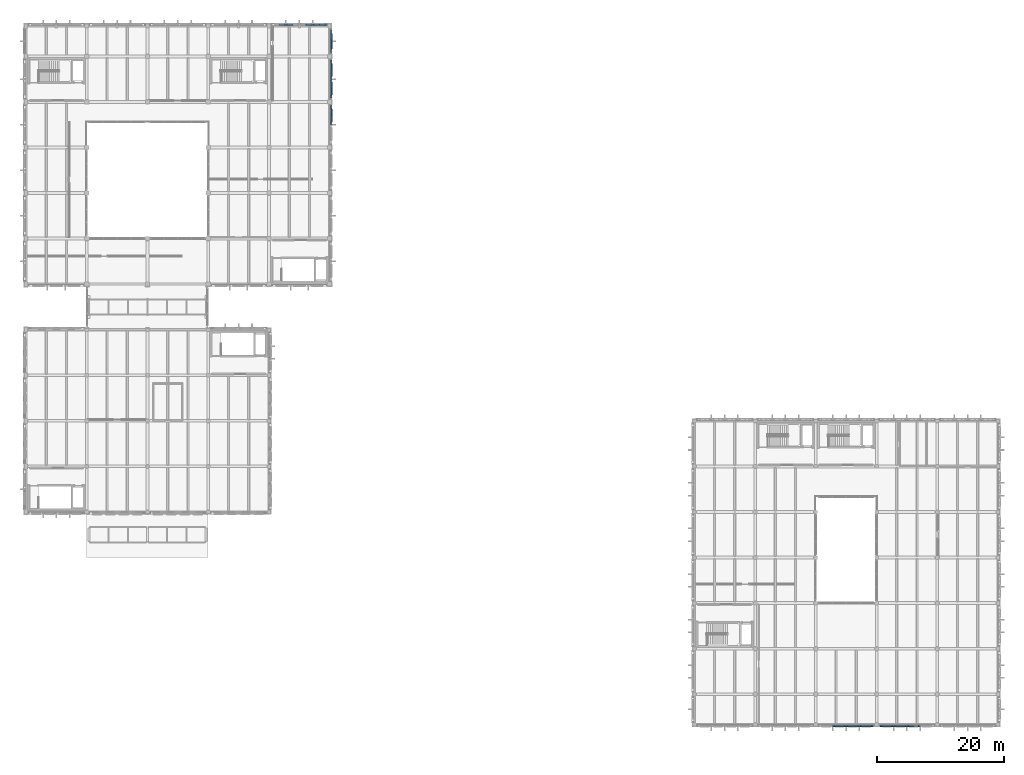
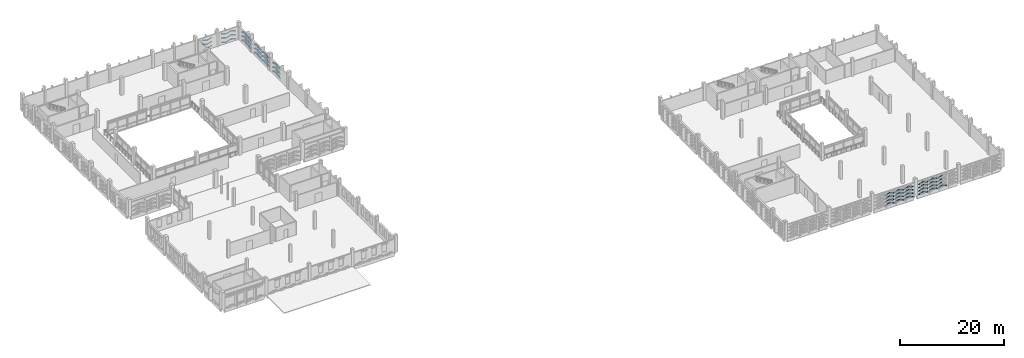
# One storey, part 44 of 72: 107 plates.
"""IFC4 building model written with IfcOpenShell, lengths in metres."""

from ifc_helpers import new_model, si_unit, direction, frame, origin, origin_2d, place, context, subcontext, project, spatial, rectangle, hollow_rectangle, extrude, material, layer, layer_set, material_profile, profile_set, type_object, element, save


model = new_model("IFC4")

# Units and contexts
model_context = context("Model", 3, precision=1e-05, world=origin(), true_north=direction((0.0, 1.0)))
body_context = subcontext(model_context, "Body", "Model", "MODEL_VIEW")
ifc_project = project(units=[si_unit("LENGTHUNIT", "METRE"), si_unit("AREAUNIT", "SQUARE_METRE"), si_unit("VOLUMEUNIT", "CUBIC_METRE"), si_unit("PLANEANGLEUNIT", "RADIAN"), si_unit("MASSUNIT", "GRAM", prefix="KILO")], contexts=[model_context])

# Site, building, storey
site_placement = place(None, origin())
site = spatial("IfcSite", under=ifc_project, at=site_placement, CompositionType="ELEMENT")
building_placement = place(site_placement, origin())
building = spatial("IfcBuilding", under=site, at=building_placement, Name="Asteropetra Specialist Clinic", CompositionType="ELEMENT")
storey_placement = place(building_placement, frame((0.0, 0.0, 12.580078125)))
storey = spatial("IfcBuildingStorey", under=building, at=storey_placement, Name="L03", CompositionType="ELEMENT", Elevation=12.580078125)

# Plates
ifc_material_1 = material(Name="Chevron emerald aluminium 6063-T6", Category="aluminium")
ifc_material_profile = material_profile(ifc_material_1, hollow_rectangle(XDim=0.159912109375, YDim=0.159912109375, WallThickness=0.008056640625, InnerFilletRadius=0.008056640625, OuterFilletRadius=0.01611328125, at=origin_2d()), Name="SHS 160x160x8.0")
ifc_profile_set = profile_set([ifc_material_profile], Name="Chevron emerald aluminium 6063-T6")
plate_type_1 = type_object("IfcPlateType", Name="CHV-RIB-160", PredefinedType="SHEET", material=ifc_profile_set)
plate_1_placement = place(storey_placement, frame((47.409912109375, 110.6220703125, 0.059814453125), z_axis=(-0.952012241431, 0.0, 0.306059948646), x_axis=(0.0, -1.0, 0.0)))
element("IfcPlate", 1, at=plate_1_placement, inside=storey, type_object=plate_type_1, Name="Chevron Facade Screen Fin CVR-1323", PredefinedType="SHEET", context=body_context, shape_type="SweptSolid", body=[
    extrude(hollow_rectangle(XDim=0.159912109375, YDim=0.159912109375, WallThickness=0.008056640625, InnerFilletRadius=0.008056640625, OuterFilletRadius=0.01611328125, at=origin_2d()), origin(), (0.0, 0.0, 1.0), 1.089599609375),
])
plate_2_placement = place(storey_placement, frame((46.37255859375, 110.6220703125, 0.393310546875), z_axis=(-0.952033222609, 0.0, -0.305994678137), x_axis=(0.0, -1.0, 0.0)))
element("IfcPlate", 2, at=plate_2_placement, inside=storey, type_object=plate_type_1, Name="Chevron Facade Screen Fin CVR-1324", PredefinedType="SHEET", context=body_context, shape_type="SweptSolid", body=[
    extrude(hollow_rectangle(XDim=0.159912109375, YDim=0.159912109375, WallThickness=0.008056640625, InnerFilletRadius=0.008056640625, OuterFilletRadius=0.01611328125, at=origin_2d()), origin(), (0.0, 0.0, 1.0), 1.08984375),
])
plate_3_placement = place(storey_placement, frame((47.409912109375, 110.6220703125, 1.02001953125), z_axis=(-0.952077507958, 0.0, 0.305856860052), x_axis=(0.0, -1.0, 0.0)))
element("IfcPlate", 3, at=plate_3_placement, inside=storey, type_object=plate_type_1, Name="Chevron Facade Screen Fin CVR-1325", PredefinedType="SHEET", context=body_context, shape_type="SweptSolid", body=[
    extrude(hollow_rectangle(XDim=0.159912109375, YDim=0.159912109375, WallThickness=0.008056640625, InnerFilletRadius=0.008056640625, OuterFilletRadius=0.01611328125, at=origin_2d()), origin(), (0.0, 0.0, 1.0), 1.089599609375),
])
plate_4_placement = place(storey_placement, frame((46.37255859375, 110.6220703125, 1.353271484375), z_axis=(-0.952098462736, 0.0, -0.305791623914), x_axis=(0.0, -1.0, 0.0)))
element("IfcPlate", 4, at=plate_4_placement, inside=storey, type_object=plate_type_1, Name="Chevron Facade Screen Fin CVR-1326", PredefinedType="SHEET", context=body_context, shape_type="SweptSolid", body=[
    extrude(hollow_rectangle(XDim=0.159912109375, YDim=0.159912109375, WallThickness=0.008056640625, InnerFilletRadius=0.008056640625, OuterFilletRadius=0.01611328125, at=origin_2d()), origin(), (0.0, 0.0, 1.0), 1.08984375),
])
plate_5_placement = place(storey_placement, frame((47.409912109375, 110.6220703125, 1.97998046875), z_axis=(-0.952077507958, 0.0, 0.305856860052), x_axis=(0.0, -1.0, 0.0)))
element("IfcPlate", 5, at=plate_5_placement, inside=storey, type_object=plate_type_1, Name="Chevron Facade Screen Fin CVR-1327", PredefinedType="SHEET", context=body_context, shape_type="SweptSolid", body=[
    extrude(hollow_rectangle(XDim=0.159912109375, YDim=0.159912109375, WallThickness=0.008056640625, InnerFilletRadius=0.008056640625, OuterFilletRadius=0.01611328125, at=origin_2d()), origin(), (0.0, 0.0, 1.0), 1.089599609375),
])
plate_6_placement = place(storey_placement, frame((46.37255859375, 110.6220703125, 2.313232421875), z_axis=(-0.952098462736, 0.0, -0.305791623914), x_axis=(0.0, -1.0, 0.0)))
element("IfcPlate", 6, at=plate_6_placement, inside=storey, type_object=plate_type_1, Name="Chevron Facade Screen Fin CVR-1328", PredefinedType="SHEET", context=body_context, shape_type="SweptSolid", body=[
    extrude(hollow_rectangle(XDim=0.159912109375, YDim=0.159912109375, WallThickness=0.008056640625, InnerFilletRadius=0.008056640625, OuterFilletRadius=0.01611328125, at=origin_2d()), origin(), (0.0, 0.0, 1.0), 1.08984375),
])
for number, where, z_axis, x_axis, name in (
    (7, (45.294921875, 110.6220703125, 0.059814453125), (-0.952012241431, 0.0, 0.306059948646), (0.0, -1.0, 0.0), "Chevron Facade Screen Fin CVR-1329"),
    (8, (45.294921875, 110.6220703125, 1.02001953125), (-0.952077507958, 0.0, 0.305856860052), (0.0, -1.0, 0.0), "Chevron Facade Screen Fin CVR-1330"),
    (9, (45.294921875, 110.6220703125, 1.97998046875), (-0.952077507958, 0.0, 0.305856860052), (0.0, -1.0, 0.0), "Chevron Facade Screen Fin CVR-1331"),
):
    element("IfcPlate", number, at=place(storey_placement, frame(where, z_axis=z_axis, x_axis=x_axis)), inside=storey, type_object=plate_type_1, Name=name, PredefinedType="SHEET", context=body_context, shape_type="SweptSolid", body=[
        extrude(hollow_rectangle(XDim=0.159912109375, YDim=0.159912109375, WallThickness=0.008056640625, InnerFilletRadius=0.008056640625, OuterFilletRadius=0.01611328125, at=origin_2d()), origin(), (0.0, 0.0, 1.0), 1.089599609375),
    ])
for number, where, z_axis, x_axis, name in (
    (10, (42.142578125, 110.6220703125, 0.393310546875), (-0.952033222609, 0.0, -0.305994678137), (0.0, -1.0, 0.0), "Chevron Facade Screen Fin CVR-1332"),
    (11, (42.142578125, 110.6220703125, 1.353271484375), (-0.952098462736, 0.0, -0.305791623914), (0.0, -1.0, 0.0), "Chevron Facade Screen Fin CVR-1333"),
    (12, (42.142578125, 110.6220703125, 2.313232421875), (-0.952098462736, 0.0, -0.305791623914), (0.0, -1.0, 0.0), "Chevron Facade Screen Fin CVR-1334"),
):
    element("IfcPlate", number, at=place(storey_placement, frame(where, z_axis=z_axis, x_axis=x_axis)), inside=storey, type_object=plate_type_1, Name=name, PredefinedType="SHEET", context=body_context, shape_type="SweptSolid", body=[
        extrude(hollow_rectangle(XDim=0.159912109375, YDim=0.159912109375, WallThickness=0.008056640625, InnerFilletRadius=0.008056640625, OuterFilletRadius=0.01611328125, at=origin_2d()), origin(), (0.0, 0.0, 1.0), 1.08984375),
    ])
for number, where, z_axis, x_axis, name in (
    (13, (41.06494140625, 110.6220703125, 1.02001953125), (-0.952077507958, 0.0, 0.305856860052), (0.0, -1.0, 0.0), "Chevron Facade Screen Fin CVR-1337"),
    (14, (41.06494140625, 110.6220703125, 1.97998046875), (-0.952077507958, 0.0, 0.305856860052), (0.0, -1.0, 0.0), "Chevron Facade Screen Fin CVR-1339"),
):
    element("IfcPlate", number, at=place(storey_placement, frame(where, z_axis=z_axis, x_axis=x_axis)), inside=storey, type_object=plate_type_1, Name=name, PredefinedType="SHEET", context=body_context, shape_type="SweptSolid", body=[
        extrude(hollow_rectangle(XDim=0.159912109375, YDim=0.159912109375, WallThickness=0.008056640625, InnerFilletRadius=0.008056640625, OuterFilletRadius=0.01611328125, at=origin_2d()), origin(), (0.0, 0.0, 1.0), 1.089599609375),
    ])
for number, where, z_axis, x_axis, name in (
    (15, (48.221923828125, 94.820068359375, 0.059814453125), (0.0, 0.952488962874, 0.304573103874), (-1.0, 0.0, 0.0), "Chevron Facade Screen Fin CVR-1431"),
    (16, (48.221923828125, 96.277587890625, 0.52587890625), (0.0, 0.952488962874, -0.304573103874), (-1.0, 0.0, 0.0), "Chevron Facade Screen Fin CVR-1432"),
):
    element("IfcPlate", number, at=place(storey_placement, frame(where, z_axis=z_axis, x_axis=x_axis)), inside=storey, type_object=plate_type_1, Name=name, PredefinedType="SHEET", context=body_context, shape_type="SweptSolid", body=[
        extrude(hollow_rectangle(XDim=0.159912109375, YDim=0.159912109375, WallThickness=0.008056640625, InnerFilletRadius=0.008056640625, OuterFilletRadius=0.01611328125, at=origin_2d()), origin(), (0.0, 0.0, 1.0), 1.5302734375),
    ])
for number, where, z_axis, x_axis, name in (
    (17, (48.221923828125, 94.820068359375, 1.02001953125), (0.0, 0.952535238788, 0.304428347673), (-1.0, 0.0, 0.0), "Chevron Facade Screen Fin CVR-1433"),
    (18, (48.221923828125, 96.277587890625, 1.48583984375), (0.0, 0.952535238788, -0.304428347673), (-1.0, 0.0, 0.0), "Chevron Facade Screen Fin CVR-1434"),
    (19, (48.221923828125, 94.820068359375, 1.97998046875), (0.0, 0.952535238788, 0.304428347673), (-1.0, 0.0, 0.0), "Chevron Facade Screen Fin CVR-1435"),
    (20, (48.221923828125, 96.277587890625, 2.44580078125), (0.0, 0.952535238788, -0.304428347673), (-1.0, 0.0, 0.0), "Chevron Facade Screen Fin CVR-1436"),
):
    element("IfcPlate", number, at=place(storey_placement, frame(where, z_axis=z_axis, x_axis=x_axis)), inside=storey, type_object=plate_type_1, Name=name, PredefinedType="SHEET", context=body_context, shape_type="SweptSolid", body=[
        extrude(hollow_rectangle(XDim=0.159912109375, YDim=0.159912109375, WallThickness=0.008056640625, InnerFilletRadius=0.008056640625, OuterFilletRadius=0.01611328125, at=origin_2d()), origin(), (0.0, 0.0, 1.0), 1.530029296875),
    ])
for number, where, z_axis, x_axis, name in (
    (21, (48.221923828125, 99.06494140625, 0.059814453125), (0.0, 0.952488962874, 0.304573103874), (-1.0, 0.0, 0.0), "Chevron Facade Screen Fin CVR-1449"),
    (22, (48.221923828125, 100.5224609375, 0.52587890625), (0.0, 0.952488962874, -0.304573103874), (-1.0, 0.0, 0.0), "Chevron Facade Screen Fin CVR-1450"),
):
    element("IfcPlate", number, at=place(storey_placement, frame(where, z_axis=z_axis, x_axis=x_axis)), inside=storey, type_object=plate_type_1, Name=name, PredefinedType="SHEET", context=body_context, shape_type="SweptSolid", body=[
        extrude(hollow_rectangle(XDim=0.159912109375, YDim=0.159912109375, WallThickness=0.008056640625, InnerFilletRadius=0.008056640625, OuterFilletRadius=0.01611328125, at=origin_2d()), origin(), (0.0, 0.0, 1.0), 1.5302734375),
    ])
for number, where, z_axis, x_axis, name in (
    (23, (48.221923828125, 99.06494140625, 1.02001953125), (0.0, 0.952535238788, 0.304428347673), (-1.0, 0.0, 0.0), "Chevron Facade Screen Fin CVR-1451"),
    (24, (48.221923828125, 100.5224609375, 1.48583984375), (0.0, 0.952535238788, -0.304428347673), (-1.0, 0.0, 0.0), "Chevron Facade Screen Fin CVR-1452"),
    (25, (48.221923828125, 99.06494140625, 1.97998046875), (0.0, 0.952535238788, 0.304428347673), (-1.0, 0.0, 0.0), "Chevron Facade Screen Fin CVR-1453"),
    (26, (48.221923828125, 100.5224609375, 2.44580078125), (0.0, 0.952535238788, -0.304428347673), (-1.0, 0.0, 0.0), "Chevron Facade Screen Fin CVR-1454"),
):
    element("IfcPlate", number, at=place(storey_placement, frame(where, z_axis=z_axis, x_axis=x_axis)), inside=storey, type_object=plate_type_1, Name=name, PredefinedType="SHEET", context=body_context, shape_type="SweptSolid", body=[
        extrude(hollow_rectangle(XDim=0.159912109375, YDim=0.159912109375, WallThickness=0.008056640625, InnerFilletRadius=0.008056640625, OuterFilletRadius=0.01611328125, at=origin_2d()), origin(), (0.0, 0.0, 1.0), 1.530029296875),
    ])
for number, where, z_axis, x_axis, name in (
    (27, (48.221923828125, 102.02001953125, 0.059814453125), (0.0, 0.952488962874, 0.304573103874), (-1.0, 0.0, 0.0), "Chevron Facade Screen Fin CVR-1455"),
    (28, (48.221923828125, 103.4775390625, 0.52587890625), (0.0, 0.952488962874, -0.304573103874), (-1.0, 0.0, 0.0), "Chevron Facade Screen Fin CVR-1456"),
):
    element("IfcPlate", number, at=place(storey_placement, frame(where, z_axis=z_axis, x_axis=x_axis)), inside=storey, type_object=plate_type_1, Name=name, PredefinedType="SHEET", context=body_context, shape_type="SweptSolid", body=[
        extrude(hollow_rectangle(XDim=0.159912109375, YDim=0.159912109375, WallThickness=0.008056640625, InnerFilletRadius=0.008056640625, OuterFilletRadius=0.01611328125, at=origin_2d()), origin(), (0.0, 0.0, 1.0), 1.5302734375),
    ])
for number, where, z_axis, x_axis, name in (
    (29, (48.221923828125, 102.02001953125, 1.02001953125), (0.0, 0.952535238788, 0.304428347673), (-1.0, 0.0, 0.0), "Chevron Facade Screen Fin CVR-1457"),
    (30, (48.221923828125, 103.4775390625, 1.48583984375), (0.0, 0.952535238788, -0.304428347673), (-1.0, 0.0, 0.0), "Chevron Facade Screen Fin CVR-1458"),
    (31, (48.221923828125, 102.02001953125, 1.97998046875), (0.0, 0.952535238788, 0.304428347673), (-1.0, 0.0, 0.0), "Chevron Facade Screen Fin CVR-1459"),
    (32, (48.221923828125, 103.4775390625, 2.44580078125), (0.0, 0.952535238788, -0.304428347673), (-1.0, 0.0, 0.0), "Chevron Facade Screen Fin CVR-1460"),
):
    element("IfcPlate", number, at=place(storey_placement, frame(where, z_axis=z_axis, x_axis=x_axis)), inside=storey, type_object=plate_type_1, Name=name, PredefinedType="SHEET", context=body_context, shape_type="SweptSolid", body=[
        extrude(hollow_rectangle(XDim=0.159912109375, YDim=0.159912109375, WallThickness=0.008056640625, InnerFilletRadius=0.008056640625, OuterFilletRadius=0.01611328125, at=origin_2d()), origin(), (0.0, 0.0, 1.0), 1.530029296875),
    ])
plate_7_placement = place(storey_placement, frame((48.221923828125, 106.264892578125, 0.059814453125), z_axis=(0.0, 0.952694984137, 0.303928062541), x_axis=(-1.0, 0.0, 0.0)))
element("IfcPlate", 33, at=plate_7_placement, inside=storey, type_object=plate_type_1, Name="Chevron Facade Screen Fin CVR-1467", PredefinedType="SHEET", context=body_context, shape_type="SweptSolid", body=[
    extrude(hollow_rectangle(XDim=0.159912109375, YDim=0.159912109375, WallThickness=0.008056640625, InnerFilletRadius=0.008056640625, OuterFilletRadius=0.01611328125, at=origin_2d()), origin(), (0.0, 0.0, 1.0), 1.80810546875),
])
plate_8_placement = place(storey_placement, frame((48.221923828125, 107.987548828125, 0.609375), z_axis=(0.0, 0.952682509707, -0.303967162204), x_axis=(-1.0, 0.0, 0.0)))
element("IfcPlate", 34, at=plate_8_placement, inside=storey, type_object=plate_type_1, Name="Chevron Facade Screen Fin CVR-1468", PredefinedType="SHEET", context=body_context, shape_type="SweptSolid", body=[
    extrude(hollow_rectangle(XDim=0.159912109375, YDim=0.159912109375, WallThickness=0.008056640625, InnerFilletRadius=0.008056640625, OuterFilletRadius=0.01611328125, at=origin_2d()), origin(), (0.0, 0.0, 1.0), 1.807861328125),
])
plate_9_placement = place(storey_placement, frame((48.221923828125, 106.264892578125, 1.02001953125), z_axis=(0.0, 0.952734072748, 0.303805507892), x_axis=(-1.0, 0.0, 0.0)))
element("IfcPlate", 35, at=plate_9_placement, inside=storey, type_object=plate_type_1, Name="Chevron Facade Screen Fin CVR-1469", PredefinedType="SHEET", context=body_context, shape_type="SweptSolid", body=[
    extrude(hollow_rectangle(XDim=0.159912109375, YDim=0.159912109375, WallThickness=0.008056640625, InnerFilletRadius=0.008056640625, OuterFilletRadius=0.01611328125, at=origin_2d()), origin(), (0.0, 0.0, 1.0), 1.80810546875),
])
plate_10_placement = place(storey_placement, frame((48.221923828125, 107.987548828125, 1.5693359375), z_axis=(0.0, 0.952721607864, -0.303844594996), x_axis=(-1.0, 0.0, 0.0)))
element("IfcPlate", 36, at=plate_10_placement, inside=storey, type_object=plate_type_1, Name="Chevron Facade Screen Fin CVR-1470", PredefinedType="SHEET", context=body_context, shape_type="SweptSolid", body=[
    extrude(hollow_rectangle(XDim=0.159912109375, YDim=0.159912109375, WallThickness=0.008056640625, InnerFilletRadius=0.008056640625, OuterFilletRadius=0.01611328125, at=origin_2d()), origin(), (0.0, 0.0, 1.0), 1.807861328125),
])
plate_11_placement = place(storey_placement, frame((48.221923828125, 106.264892578125, 1.97998046875), z_axis=(0.0, 0.952734072748, 0.303805507892), x_axis=(-1.0, 0.0, 0.0)))
element("IfcPlate", 37, at=plate_11_placement, inside=storey, type_object=plate_type_1, Name="Chevron Facade Screen Fin CVR-1471", PredefinedType="SHEET", context=body_context, shape_type="SweptSolid", body=[
    extrude(hollow_rectangle(XDim=0.159912109375, YDim=0.159912109375, WallThickness=0.008056640625, InnerFilletRadius=0.008056640625, OuterFilletRadius=0.01611328125, at=origin_2d()), origin(), (0.0, 0.0, 1.0), 1.80810546875),
])
plate_12_placement = place(storey_placement, frame((48.221923828125, 107.987548828125, 2.529296875), z_axis=(0.0, 0.952721607864, -0.303844594996), x_axis=(-1.0, 0.0, 0.0)))
element("IfcPlate", 38, at=plate_12_placement, inside=storey, type_object=plate_type_1, Name="Chevron Facade Screen Fin CVR-1472", PredefinedType="SHEET", context=body_context, shape_type="SweptSolid", body=[
    extrude(hollow_rectangle(XDim=0.159912109375, YDim=0.159912109375, WallThickness=0.008056640625, InnerFilletRadius=0.008056640625, OuterFilletRadius=0.01611328125, at=origin_2d()), origin(), (0.0, 0.0, 1.0), 1.807861328125),
])
for number, where, z_axis, x_axis, name in (
    (39, (127.517578125, -0.219482421875, 0.0498046875), (0.95200979945, 0.0, 0.306067544426), (0.0, 1.0, 0.0), "Chevron Facade Screen Fin CVR-3030"),
    (40, (128.548828125, -0.219482421875, 0.38134765625), (0.95200979945, 0.0, -0.306067544426), (0.0, 1.0, 0.0), "Chevron Facade Screen Fin CVR-3031"),
    (41, (127.517578125, -0.219482421875, 0.81982421875), (0.95200979945, 0.0, 0.306067544426), (0.0, 1.0, 0.0), "Chevron Facade Screen Fin CVR-3032"),
    (42, (128.548828125, -0.219482421875, 1.1513671875), (0.95200979945, 0.0, -0.306067544426), (0.0, 1.0, 0.0), "Chevron Facade Screen Fin CVR-3033"),
    (43, (127.517578125, -0.219482421875, 1.619873046875), (0.95200979945, 0.0, 0.306067544426), (0.0, 1.0, 0.0), "Chevron Facade Screen Fin CVR-3034"),
    (44, (128.548828125, -0.219482421875, 1.951416015625), (0.95200979945, 0.0, -0.306067544426), (0.0, 1.0, 0.0), "Chevron Facade Screen Fin CVR-3035"),
    (45, (127.517578125, -0.219482421875, 2.39990234375), (0.95200979945, 0.0, 0.306067544426), (0.0, 1.0, 0.0), "Chevron Facade Screen Fin CVR-3036"),
    (46, (128.548828125, -0.219482421875, 2.7314453125), (0.95200979945, 0.0, -0.306067544426), (0.0, 1.0, 0.0), "Chevron Facade Screen Fin CVR-3037"),
    (47, (129.6201171875, -0.219482421875, 0.0498046875), (0.95200979945, 0.0, 0.306067544426), (0.0, 1.0, 0.0), "Chevron Facade Screen Fin CVR-3038"),
    (48, (130.6513671875, -0.219482421875, 0.38134765625), (0.95200979945, 0.0, -0.306067544426), (0.0, 1.0, 0.0), "Chevron Facade Screen Fin CVR-3039"),
    (49, (129.6201171875, -0.219482421875, 0.81982421875), (0.95200979945, 0.0, 0.306067544426), (0.0, 1.0, 0.0), "Chevron Facade Screen Fin CVR-3040"),
    (50, (130.6513671875, -0.219482421875, 1.1513671875), (0.95200979945, 0.0, -0.306067544426), (0.0, 1.0, 0.0), "Chevron Facade Screen Fin CVR-3041"),
    (51, (129.6201171875, -0.219482421875, 1.619873046875), (0.95200979945, 0.0, 0.306067544426), (0.0, 1.0, 0.0), "Chevron Facade Screen Fin CVR-3042"),
    (52, (130.6513671875, -0.219482421875, 1.951416015625), (0.95200979945, 0.0, -0.306067544426), (0.0, 1.0, 0.0), "Chevron Facade Screen Fin CVR-3043"),
    (53, (129.6201171875, -0.219482421875, 2.39990234375), (0.95200979945, 0.0, 0.306067544426), (0.0, 1.0, 0.0), "Chevron Facade Screen Fin CVR-3044"),
    (54, (130.6513671875, -0.219482421875, 2.7314453125), (0.95200979945, 0.0, -0.306067544426), (0.0, 1.0, 0.0), "Chevron Facade Screen Fin CVR-3045"),
    (55, (131.722412109375, -0.219482421875, 0.0498046875), (0.95200979945, 0.0, 0.306067544426), (0.0, 1.0, 0.0), "Chevron Facade Screen Fin CVR-3046"),
    (56, (132.753662109375, -0.219482421875, 0.38134765625), (0.95200979945, 0.0, -0.306067544426), (0.0, 1.0, 0.0), "Chevron Facade Screen Fin CVR-3047"),
    (57, (131.722412109375, -0.219482421875, 0.81982421875), (0.95200979945, 0.0, 0.306067544426), (0.0, 1.0, 0.0), "Chevron Facade Screen Fin CVR-3048"),
    (58, (132.753662109375, -0.219482421875, 1.1513671875), (0.95200979945, 0.0, -0.306067544426), (0.0, 1.0, 0.0), "Chevron Facade Screen Fin CVR-3049"),
    (59, (131.722412109375, -0.219482421875, 1.619873046875), (0.95200979945, 0.0, 0.306067544426), (0.0, 1.0, 0.0), "Chevron Facade Screen Fin CVR-3050"),
    (60, (132.753662109375, -0.219482421875, 1.951416015625), (0.95200979945, 0.0, -0.306067544426), (0.0, 1.0, 0.0), "Chevron Facade Screen Fin CVR-3051"),
    (61, (131.722412109375, -0.219482421875, 2.39990234375), (0.95200979945, 0.0, 0.306067544426), (0.0, 1.0, 0.0), "Chevron Facade Screen Fin CVR-3052"),
    (62, (132.753662109375, -0.219482421875, 2.7314453125), (0.95200979945, 0.0, -0.306067544426), (0.0, 1.0, 0.0), "Chevron Facade Screen Fin CVR-3053"),
):
    element("IfcPlate", number, at=place(storey_placement, frame(where, z_axis=z_axis, x_axis=x_axis)), inside=storey, type_object=plate_type_1, Name=name, PredefinedType="SHEET", context=body_context, shape_type="SweptSolid", body=[
        extrude(hollow_rectangle(XDim=0.159912109375, YDim=0.159912109375, WallThickness=0.008056640625, InnerFilletRadius=0.008056640625, OuterFilletRadius=0.01611328125, at=origin_2d()), origin(), (0.0, 0.0, 1.0), 1.083251953125),
    ])
plate_13_placement = place(storey_placement, frame((135.014892578125, -0.219482421875, 0.0498046875), z_axis=(0.95203090576, 0.0, 0.306001886396), x_axis=(0.0, 1.0, 0.0)))
element("IfcPlate", 63, at=plate_13_placement, inside=storey, type_object=plate_type_1, Name="Chevron Facade Screen Fin CVR-3086", PredefinedType="SHEET", context=body_context, shape_type="SweptSolid", body=[
    extrude(hollow_rectangle(XDim=0.159912109375, YDim=0.159912109375, WallThickness=0.008056640625, InnerFilletRadius=0.008056640625, OuterFilletRadius=0.01611328125, at=origin_2d()), origin(), (0.0, 0.0, 1.0), 1.08349609375),
])
plate_14_placement = place(storey_placement, frame((136.04638671875, -0.219482421875, 0.38134765625), z_axis=(0.95198867955, 0.0, -0.30613322918), x_axis=(0.0, 1.0, 0.0)))
element("IfcPlate", 64, at=plate_14_placement, inside=storey, type_object=plate_type_1, Name="Chevron Facade Screen Fin CVR-3087", PredefinedType="SHEET", context=body_context, shape_type="SweptSolid", body=[
    extrude(hollow_rectangle(XDim=0.159912109375, YDim=0.159912109375, WallThickness=0.008056640625, InnerFilletRadius=0.008056640625, OuterFilletRadius=0.01611328125, at=origin_2d()), origin(), (0.0, 0.0, 1.0), 1.0830078125),
])
plate_15_placement = place(storey_placement, frame((135.014892578125, -0.219482421875, 0.81982421875), z_axis=(0.95203090576, 0.0, 0.306001886396), x_axis=(0.0, 1.0, 0.0)))
element("IfcPlate", 65, at=plate_15_placement, inside=storey, type_object=plate_type_1, Name="Chevron Facade Screen Fin CVR-3088", PredefinedType="SHEET", context=body_context, shape_type="SweptSolid", body=[
    extrude(hollow_rectangle(XDim=0.159912109375, YDim=0.159912109375, WallThickness=0.008056640625, InnerFilletRadius=0.008056640625, OuterFilletRadius=0.01611328125, at=origin_2d()), origin(), (0.0, 0.0, 1.0), 1.08349609375),
])
plate_16_placement = place(storey_placement, frame((136.04638671875, -0.219482421875, 1.1513671875), z_axis=(0.95198867955, 0.0, -0.30613322918), x_axis=(0.0, 1.0, 0.0)))
element("IfcPlate", 66, at=plate_16_placement, inside=storey, type_object=plate_type_1, Name="Chevron Facade Screen Fin CVR-3089", PredefinedType="SHEET", context=body_context, shape_type="SweptSolid", body=[
    extrude(hollow_rectangle(XDim=0.159912109375, YDim=0.159912109375, WallThickness=0.008056640625, InnerFilletRadius=0.008056640625, OuterFilletRadius=0.01611328125, at=origin_2d()), origin(), (0.0, 0.0, 1.0), 1.0830078125),
])
plate_17_placement = place(storey_placement, frame((135.014892578125, -0.219482421875, 1.619873046875), z_axis=(0.95203090576, 0.0, 0.306001886396), x_axis=(0.0, 1.0, 0.0)))
element("IfcPlate", 67, at=plate_17_placement, inside=storey, type_object=plate_type_1, Name="Chevron Facade Screen Fin CVR-3090", PredefinedType="SHEET", context=body_context, shape_type="SweptSolid", body=[
    extrude(hollow_rectangle(XDim=0.159912109375, YDim=0.159912109375, WallThickness=0.008056640625, InnerFilletRadius=0.008056640625, OuterFilletRadius=0.01611328125, at=origin_2d()), origin(), (0.0, 0.0, 1.0), 1.08349609375),
])
plate_18_placement = place(storey_placement, frame((136.04638671875, -0.219482421875, 1.951416015625), z_axis=(0.95198867955, 0.0, -0.30613322918), x_axis=(0.0, 1.0, 0.0)))
element("IfcPlate", 68, at=plate_18_placement, inside=storey, type_object=plate_type_1, Name="Chevron Facade Screen Fin CVR-3091", PredefinedType="SHEET", context=body_context, shape_type="SweptSolid", body=[
    extrude(hollow_rectangle(XDim=0.159912109375, YDim=0.159912109375, WallThickness=0.008056640625, InnerFilletRadius=0.008056640625, OuterFilletRadius=0.01611328125, at=origin_2d()), origin(), (0.0, 0.0, 1.0), 1.0830078125),
])
plate_19_placement = place(storey_placement, frame((135.014892578125, -0.219482421875, 2.39990234375), z_axis=(0.95203090576, 0.0, 0.306001886396), x_axis=(0.0, 1.0, 0.0)))
element("IfcPlate", 69, at=plate_19_placement, inside=storey, type_object=plate_type_1, Name="Chevron Facade Screen Fin CVR-3092", PredefinedType="SHEET", context=body_context, shape_type="SweptSolid", body=[
    extrude(hollow_rectangle(XDim=0.159912109375, YDim=0.159912109375, WallThickness=0.008056640625, InnerFilletRadius=0.008056640625, OuterFilletRadius=0.01611328125, at=origin_2d()), origin(), (0.0, 0.0, 1.0), 1.08349609375),
])
plate_20_placement = place(storey_placement, frame((136.04638671875, -0.219482421875, 2.7314453125), z_axis=(0.95198867955, 0.0, -0.30613322918), x_axis=(0.0, 1.0, 0.0)))
element("IfcPlate", 70, at=plate_20_placement, inside=storey, type_object=plate_type_1, Name="Chevron Facade Screen Fin CVR-3093", PredefinedType="SHEET", context=body_context, shape_type="SweptSolid", body=[
    extrude(hollow_rectangle(XDim=0.159912109375, YDim=0.159912109375, WallThickness=0.008056640625, InnerFilletRadius=0.008056640625, OuterFilletRadius=0.01611328125, at=origin_2d()), origin(), (0.0, 0.0, 1.0), 1.0830078125),
])
for number, where, z_axis, x_axis, name in (
    (71, (137.117431640625, -0.219482421875, 0.0498046875), (0.95200979945, 0.0, 0.306067544426), (0.0, 1.0, 0.0), "Chevron Facade Screen Fin CVR-3094"),
    (72, (138.148681640625, -0.219482421875, 0.38134765625), (0.95200979945, 0.0, -0.306067544426), (0.0, 1.0, 0.0), "Chevron Facade Screen Fin CVR-3095"),
    (73, (137.117431640625, -0.219482421875, 0.81982421875), (0.95200979945, 0.0, 0.306067544426), (0.0, 1.0, 0.0), "Chevron Facade Screen Fin CVR-3096"),
    (74, (138.148681640625, -0.219482421875, 1.1513671875), (0.95200979945, 0.0, -0.306067544426), (0.0, 1.0, 0.0), "Chevron Facade Screen Fin CVR-3097"),
    (75, (137.117431640625, -0.219482421875, 1.619873046875), (0.95200979945, 0.0, 0.306067544426), (0.0, 1.0, 0.0), "Chevron Facade Screen Fin CVR-3098"),
    (76, (138.148681640625, -0.219482421875, 1.951416015625), (0.95200979945, 0.0, -0.306067544426), (0.0, 1.0, 0.0), "Chevron Facade Screen Fin CVR-3099"),
    (77, (137.117431640625, -0.219482421875, 2.39990234375), (0.95200979945, 0.0, 0.306067544426), (0.0, 1.0, 0.0), "Chevron Facade Screen Fin CVR-3100"),
    (78, (138.148681640625, -0.219482421875, 2.7314453125), (0.95200979945, 0.0, -0.306067544426), (0.0, 1.0, 0.0), "Chevron Facade Screen Fin CVR-3101"),
    (79, (139.219970703125, -0.219482421875, 0.0498046875), (0.95200979945, 0.0, 0.306067544426), (0.0, 1.0, 0.0), "Chevron Facade Screen Fin CVR-3102"),
    (80, (140.251220703125, -0.219482421875, 0.38134765625), (0.95200979945, 0.0, -0.306067544426), (0.0, 1.0, 0.0), "Chevron Facade Screen Fin CVR-3103"),
    (81, (139.219970703125, -0.219482421875, 0.81982421875), (0.95200979945, 0.0, 0.306067544426), (0.0, 1.0, 0.0), "Chevron Facade Screen Fin CVR-3104"),
    (82, (139.219970703125, -0.219482421875, 1.619873046875), (0.95200979945, 0.0, 0.306067544426), (0.0, 1.0, 0.0), "Chevron Facade Screen Fin CVR-3106"),
    (83, (139.219970703125, -0.219482421875, 2.39990234375), (0.95200979945, 0.0, 0.306067544426), (0.0, 1.0, 0.0), "Chevron Facade Screen Fin CVR-3108"),
):
    element("IfcPlate", number, at=place(storey_placement, frame(where, z_axis=z_axis, x_axis=x_axis)), inside=storey, type_object=plate_type_1, Name=name, PredefinedType="SHEET", context=body_context, shape_type="SweptSolid", body=[
        extrude(hollow_rectangle(XDim=0.159912109375, YDim=0.159912109375, WallThickness=0.008056640625, InnerFilletRadius=0.008056640625, OuterFilletRadius=0.01611328125, at=origin_2d()), origin(), (0.0, 0.0, 1.0), 1.083251953125),
    ])
ifc_material_2 = material(Name="Aluminium 6063-T6", Category="aluminium")
ifc_layer = layer(ifc_material_2, 0.139892578125)
ifc_layer_set = layer_set([ifc_layer], Name="Aluminium 6063-T6")
plate_type_2 = type_object("IfcPlateType", Name="PLT-CHV-TILE", PredefinedType="SHEET", material=ifc_layer_set)
for number, where, z_axis, x_axis, name in (
    (84, (48.280029296875, 95.869384765625, 0.0498046875), (0.0, 0.0, 1.0), (1.0, 0.0, 0.0), "Chevron Ceramic Panel CPT-1125"),
    (85, (48.280029296875, 96.685546875, 0.2265625), (0.0, 0.0, 1.0), (1.0, 0.0, 0.0), "Chevron Ceramic Panel CPT-1126"),
    (86, (48.280029296875, 95.869384765625, 1.009765625), (0.0, 0.0, 1.0), (1.0, 0.0, 0.0), "Chevron Ceramic Panel CPT-1127"),
    (87, (48.280029296875, 96.685546875, 1.1865234375), (0.0, 0.0, 1.0), (1.0, 0.0, 0.0), "Chevron Ceramic Panel CPT-1128"),
    (88, (48.280029296875, 95.869384765625, 1.9697265625), (0.0, 0.0, 1.0), (1.0, 0.0, 0.0), "Chevron Ceramic Panel CPT-1129"),
    (89, (48.280029296875, 96.685546875, 2.146484375), (0.0, 0.0, 1.0), (1.0, 0.0, 0.0), "Chevron Ceramic Panel CPT-1130"),
    (90, (48.280029296875, 100.114501953125, 0.0498046875), (0.0, 0.0, 1.0), (1.0, 0.0, 0.0), "Chevron Ceramic Panel CPT-1143"),
    (91, (48.280029296875, 100.9306640625, 0.2265625), (0.0, 0.0, 1.0), (1.0, 0.0, 0.0), "Chevron Ceramic Panel CPT-1144"),
    (92, (48.280029296875, 100.114501953125, 1.009765625), (0.0, 0.0, 1.0), (1.0, 0.0, 0.0), "Chevron Ceramic Panel CPT-1145"),
    (93, (48.280029296875, 100.9306640625, 1.1865234375), (0.0, 0.0, 1.0), (1.0, 0.0, 0.0), "Chevron Ceramic Panel CPT-1146"),
    (94, (48.280029296875, 100.114501953125, 1.9697265625), (0.0, 0.0, 1.0), (1.0, 0.0, 0.0), "Chevron Ceramic Panel CPT-1147"),
    (95, (48.280029296875, 100.9306640625, 2.146484375), (0.0, 0.0, 1.0), (1.0, 0.0, 0.0), "Chevron Ceramic Panel CPT-1148"),
    (96, (48.280029296875, 103.0693359375, 0.0498046875), (0.0, 0.0, 1.0), (1.0, 0.0, 0.0), "Chevron Ceramic Panel CPT-1149"),
    (97, (48.280029296875, 103.885498046875, 0.2265625), (0.0, 0.0, 1.0), (1.0, 0.0, 0.0), "Chevron Ceramic Panel CPT-1150"),
    (98, (48.280029296875, 103.0693359375, 1.009765625), (0.0, 0.0, 1.0), (1.0, 0.0, 0.0), "Chevron Ceramic Panel CPT-1151"),
    (99, (48.280029296875, 103.885498046875, 1.1865234375), (0.0, 0.0, 1.0), (1.0, 0.0, 0.0), "Chevron Ceramic Panel CPT-1152"),
    (100, (48.280029296875, 103.0693359375, 1.9697265625), (0.0, 0.0, 1.0), (1.0, 0.0, 0.0), "Chevron Ceramic Panel CPT-1153"),
    (101, (48.280029296875, 103.885498046875, 2.146484375), (0.0, 0.0, 1.0), (1.0, 0.0, 0.0), "Chevron Ceramic Panel CPT-1154"),
):
    element("IfcPlate", number, at=place(storey_placement, frame(where, z_axis=z_axis, x_axis=x_axis)), inside=storey, type_object=plate_type_2, Name=name, PredefinedType="SHEET", context=body_context, shape_type="SweptSolid", body=[
        extrude(rectangle(XDim=0.280029296875, YDim=1.166015625, at=origin_2d()), origin(), (0.0, 0.0, 1.0), 0.300048828125),
    ])
for number, where, z_axis, x_axis, name in (
    (102, (48.280029296875, 107.505126953125, 0.07470703125), (0.0, 0.0, 1.0), (1.0, 0.0, 0.0), "Chevron Ceramic Panel CPT-1161"),
    (103, (48.280029296875, 108.4697265625, 0.28369140625), (0.0, 0.0, 1.0), (1.0, 0.0, 0.0), "Chevron Ceramic Panel CPT-1162"),
    (104, (48.280029296875, 107.505126953125, 1.03466796875), (0.0, 0.0, 1.0), (1.0, 0.0, 0.0), "Chevron Ceramic Panel CPT-1163"),
    (105, (48.280029296875, 108.4697265625, 1.24365234375), (0.0, 0.0, 1.0), (1.0, 0.0, 0.0), "Chevron Ceramic Panel CPT-1164"),
    (106, (48.280029296875, 107.505126953125, 1.99462890625), (0.0, 0.0, 1.0), (1.0, 0.0, 0.0), "Chevron Ceramic Panel CPT-1165"),
    (107, (48.280029296875, 108.4697265625, 2.20361328125), (0.0, 0.0, 1.0), (1.0, 0.0, 0.0), "Chevron Ceramic Panel CPT-1166"),
):
    element("IfcPlate", number, at=place(storey_placement, frame(where, z_axis=z_axis, x_axis=x_axis)), inside=storey, type_object=plate_type_2, Name=name, PredefinedType="SHEET", context=body_context, shape_type="SweptSolid", body=[
        extrude(rectangle(XDim=0.280029296875, YDim=1.3779296875, at=origin_2d()), origin(), (0.0, 0.0, 1.0), 0.300048828125),
    ])

save(model, "model.ifc")
